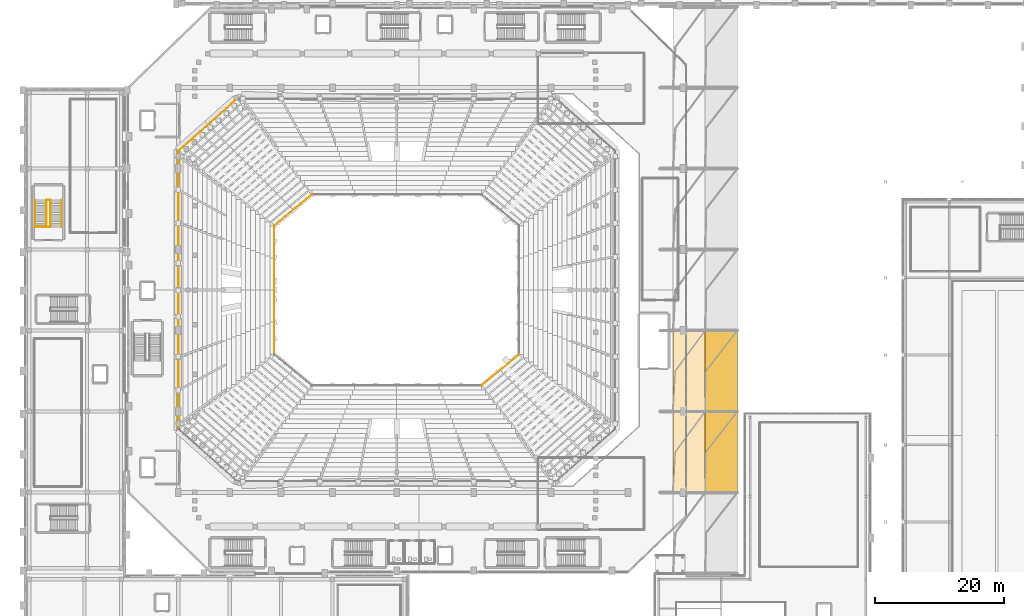
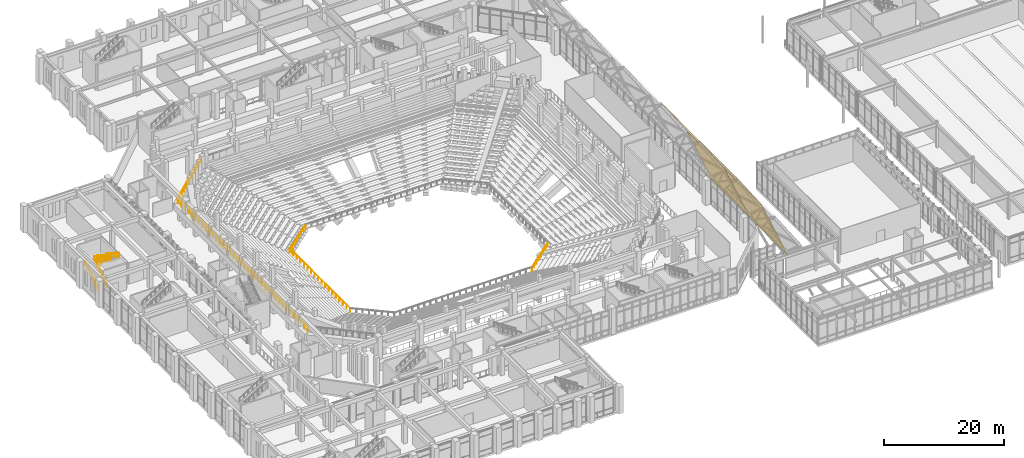
# One storey, part 149 of 159: 9 railings, 4 coverings.
"""IFC4 building model written with IfcOpenShell, lengths in metres."""

from ifc_helpers import new_model, si_unit, derived_unit, direction, frame, origin, origin_2d, place, context, subcontext, project, spatial, polyline, circle, outline, extrude, material, layer, layer_set, type_object, element, save


model = new_model("IFC4")

# Units and contexts
model_context = context("Model", 3, precision=1e-05, world=origin(), true_north=direction((0.0, 1.0)))
body_context = subcontext(model_context, "Body", "Model", "MODEL_VIEW")
ifc_project = project(units=[si_unit("LENGTHUNIT", "METRE"), si_unit("AREAUNIT", "SQUARE_METRE"), si_unit("VOLUMEUNIT", "CUBIC_METRE"), si_unit("PLANEANGLEUNIT", "RADIAN"), si_unit("MASSUNIT", "GRAM", prefix="KILO"), derived_unit("THERMALTRANSMITTANCEUNIT", [(si_unit("MASSUNIT", "GRAM", prefix="KILO"), 1), (si_unit("TIMEUNIT", "SECOND"), -3), (si_unit("THERMODYNAMICTEMPERATUREUNIT", "KELVIN"), -1)])], contexts=[model_context])

# Site, building, storey
site_placement = place(None, origin())
site = spatial("IfcSite", under=ifc_project, at=site_placement, CompositionType="ELEMENT")
building_placement = place(site_placement, origin())
building = spatial("IfcBuilding", under=site, at=building_placement, Name="Valcora Ridge Arena", CompositionType="ELEMENT")
storey_placement = place(building_placement, frame((0.0, 0.0, 6.0)))
storey = spatial("IfcBuildingStorey", under=building, at=storey_placement, Name="L01", CompositionType="ELEMENT", Elevation=6.0)

# Coverings
ifc_material_1 = material(Name="Weathered zinc-bronze standing-seam metal Grade Z275")
ifc_layer = layer(ifc_material_1, 0.0400390625, Name="Weathered zinc-bronze standing-seam metal Grade Z275")
ifc_layer_set = layer_set([ifc_layer], Name="Weathered zinc-bronze standing-seam metal Grade Z275")
covering_type = type_object("IfcCoveringType", Name="TY-COVERING-COV-ZINC-SKIRT", PredefinedType="ROOFING", material=ifc_layer_set)
covering_1_placement = place(storey_placement, frame((101.0, 32.60009765625, 13.49365234375), z_axis=(0.831958588032, 0.0, 0.554837731053), x_axis=(0.554837731053, 0.0, -0.831958588032)))
element("IfcCovering", 1, at=covering_1_placement, inside=storey, type_object=covering_type, Name="COV-ZINC-SKIRT COV-RF-0027", PredefinedType="ROOFING", context=body_context, shape_type="SweptSolid", body=[
    extrude(outline(polyline([(0.0, 0.0), (9.0116438017177, 0.0), (9.0116438017177, 12.599853515625), (0.0, 12.599853515625), (0.0, 0.0)])), origin(), (0.0, 0.0, -1.0), 0.0400390625),
])
covering_2_placement = place(storey_placement, frame((106.0, 32.60009765625, 5.996337890625), z_axis=(0.922302243293, 0.0, 0.386469367501), x_axis=(0.386469367501, 0.0, -0.922302243293)))
element("IfcCovering", 2, at=covering_2_placement, inside=storey, type_object=covering_type, Name="COV-ZINC-SKIRT COV-RF-0028", PredefinedType="ROOFING", context=body_context, shape_type="SweptSolid", body=[
    extrude(outline(polyline([(0.0, 0.0), (12.963536535956578, 0.0), (12.963536535956578, 12.599853515624996), (0.0, 12.599853515624996), (0.0, 0.0)])), origin(), (0.0, 0.0, -1.0), 0.0400390625),
])
covering_3_placement = place(storey_placement, frame((101.0, 45.199951171875, 13.49365234375), z_axis=(0.831958588032, 0.0, 0.554837731053), x_axis=(0.554837731053, 0.0, -0.831958588032)))
element("IfcCovering", 3, at=covering_3_placement, inside=storey, type_object=covering_type, Name="COV-ZINC-SKIRT COV-RF-0041", PredefinedType="ROOFING", context=body_context, shape_type="SweptSolid", body=[
    extrude(outline(polyline([(0.0, 0.0), (9.0116438017177, 0.0), (9.0116438017177, 12.60009765625), (0.0, 12.60009765625), (0.0, 0.0)])), origin(), (0.0, 0.0, -1.0), 0.0400390625),
])
covering_4_placement = place(storey_placement, frame((106.0, 45.199951171875, 5.996337890625), z_axis=(0.922302243293, 0.0, 0.386469367501), x_axis=(0.386469367501, 0.0, -0.922302243293)))
element("IfcCovering", 4, at=covering_4_placement, inside=storey, type_object=covering_type, Name="COV-ZINC-SKIRT COV-RF-0042", PredefinedType="ROOFING", context=body_context, shape_type="SweptSolid", body=[
    extrude(outline(polyline([(0.0, 0.0), (12.963536535956582, 0.0), (12.963536535956582, 12.600097656250004), (0.0, 12.600097656250004), (0.0, 0.0)])), origin(), (0.0, 0.0, -1.0), 0.0400390625),
])

# Railings
ifc_material_2 = material(Name="Galvanized painted steel ASTM A500 Grade B", Category="steel")
railing_type_1 = type_object("IfcRailingType", Name="TY-RAILING-BAL-BOWL-850", PredefinedType="BALUSTRADE", material=ifc_material_2)
railing_1_placement = place(storey_placement, frame((71.25, 49.25, -5.39990234375)))
element("IfcRailing", 5, at=railing_1_placement, inside=storey, type_object=railing_type_1, Name="BAL-BOWL-850 RAL-BW-0002", PredefinedType="BALUSTRADE", context=body_context, shape_type="SweptSolid", body=[
    extrude(circle(Radius=0.02392578125, at=origin_2d()), frame((0.0, 0.0, 0.826171875), z_axis=(0.770393771884, 0.6375683777, 0.0), x_axis=(-0.6375683777, 0.770393771884, 0.0)), (0.0, 0.0, 1.0), 7.528564453125),
    extrude(circle(Radius=0.02099609375, at=origin_2d()), origin(), (0.0, 0.0, 1.0), 0.802001953125),
    extrude(circle(Radius=0.02099609375, at=origin_2d()), frame((0.82861328125, 0.685791015625, 0.0)), (0.0, 0.0, 1.0), 0.802001953125),
    extrude(circle(Radius=0.02099609375, at=origin_2d()), frame((1.6572265625, 1.371337890625, 0.0)), (0.0, 0.0, 1.0), 0.802001953125),
    extrude(circle(Radius=0.02099609375, at=origin_2d()), frame((2.48583984375, 2.05712890625, 0.0)), (0.0, 0.0, 1.0), 0.802001953125),
    extrude(circle(Radius=0.02099609375, at=origin_2d()), frame((3.314208984375, 2.742919921875, 0.0)), (0.0, 0.0, 1.0), 0.802001953125),
    extrude(circle(Radius=0.02099609375, at=origin_2d()), frame((4.142822265625, 3.4287109375, 0.0)), (0.0, 0.0, 1.0), 0.802001953125),
    extrude(circle(Radius=0.02099609375, at=origin_2d()), frame((4.971435546875, 4.1142578125, 0.0)), (0.0, 0.0, 1.0), 0.802001953125),
    extrude(circle(Radius=0.02099609375, at=origin_2d()), frame((5.800048828125, 4.800048828125, 0.0)), (0.0, 0.0, 1.0), 0.802001953125),
])
railing_2_placement = place(storey_placement, frame((44.75, 78.949951171875, -5.39990234375)))
element("IfcRailing", 6, at=railing_2_placement, inside=storey, type_object=railing_type_1, Name="BAL-BOWL-850 RAL-BW-0006", PredefinedType="BALUSTRADE", context=body_context, shape_type="SweptSolid", body=[
    extrude(circle(Radius=0.02392578125, at=origin_2d()), frame((0.0, 0.0, 0.826171875), z_axis=(-0.770393771884, -0.6375683777, 0.0), x_axis=(0.6375683777, -0.770393771884, 0.0)), (0.0, 0.0, 1.0), 7.528564453125),
    extrude(circle(Radius=0.02099609375, at=origin_2d()), origin(), (0.0, 0.0, 1.0), 0.802001953125),
    extrude(circle(Radius=0.02099609375, at=origin_2d()), frame((-0.82861328125, -0.685791015625, 0.0)), (0.0, 0.0, 1.0), 0.802001953125),
    extrude(circle(Radius=0.02099609375, at=origin_2d()), frame((-1.6572265625, -1.371337890625, 0.0)), (0.0, 0.0, 1.0), 0.802001953125),
    extrude(circle(Radius=0.02099609375, at=origin_2d()), frame((-2.48583984375, -2.05712890625, 0.0)), (0.0, 0.0, 1.0), 0.802001953125),
    extrude(circle(Radius=0.02099609375, at=origin_2d()), frame((-3.314208984375, -2.742919921875, 0.0)), (0.0, 0.0, 1.0), 0.802001953125),
    extrude(circle(Radius=0.02099609375, at=origin_2d()), frame((-4.142822265625, -3.4287109375, 0.0)), (0.0, 0.0, 1.0), 0.802001953125),
    extrude(circle(Radius=0.02099609375, at=origin_2d()), frame((-4.971435546875, -4.1142578125, 0.0)), (0.0, 0.0, 1.0), 0.802001953125),
    extrude(circle(Radius=0.02099609375, at=origin_2d()), frame((-5.800048828125, -4.800048828125, 0.0)), (0.0, 0.0, 1.0), 0.802001953125),
])
railing_3_placement = place(storey_placement, frame((38.949951171875, 74.14990234375, -5.39990234375)))
element("IfcRailing", 7, at=railing_3_placement, inside=storey, type_object=railing_type_1, Name="BAL-BOWL-850 RAL-BW-0007", PredefinedType="BALUSTRADE", context=body_context, shape_type="SweptSolid", body=[
    extrude(circle(Radius=0.02392578125, at=origin_2d()), frame((0.0, 0.0, 0.826171875), z_axis=(0.0, -1.0, 0.0), x_axis=(1.0, 0.0, 0.0)), (0.0, 0.0, 1.0), 20.099853515625),
    extrude(circle(Radius=0.02099609375, at=origin_2d()), origin(), (0.0, 0.0, 1.0), 0.802001953125),
    extrude(circle(Radius=0.02099609375, at=origin_2d()), frame((0.0, -1.182373046875, 0.0)), (0.0, 0.0, 1.0), 0.802001953125),
    extrude(circle(Radius=0.02099609375, at=origin_2d()), frame((0.0, -2.36474609375, 0.0)), (0.0, 0.0, 1.0), 0.802001953125),
    extrude(circle(Radius=0.02099609375, at=origin_2d()), frame((0.0, -3.547119140625, 0.0)), (0.0, 0.0, 1.0), 0.802001953125),
    extrude(circle(Radius=0.02099609375, at=origin_2d()), frame((0.0, -4.7294921875, 0.0)), (0.0, 0.0, 1.0), 0.802001953125),
    extrude(circle(Radius=0.02099609375, at=origin_2d()), frame((0.0, -5.91162109375, 0.0)), (0.0, 0.0, 1.0), 0.802001953125),
    extrude(circle(Radius=0.02099609375, at=origin_2d()), frame((0.0, -7.093994140625, 0.0)), (0.0, 0.0, 1.0), 0.802001953125),
    extrude(circle(Radius=0.02099609375, at=origin_2d()), frame((0.0, -8.2763671875, 0.0)), (0.0, 0.0, 1.0), 0.802001953125),
    extrude(circle(Radius=0.02099609375, at=origin_2d()), frame((0.0, -9.458740234375, 0.0)), (0.0, 0.0, 1.0), 0.802001953125),
    extrude(circle(Radius=0.02099609375, at=origin_2d()), frame((0.0, -10.64111328125, 0.0)), (0.0, 0.0, 1.0), 0.802001953125),
    extrude(circle(Radius=0.02099609375, at=origin_2d()), frame((0.0, -11.823486328125, 0.0)), (0.0, 0.0, 1.0), 0.802001953125),
    extrude(circle(Radius=0.02099609375, at=origin_2d()), frame((0.0, -13.005859375, 0.0)), (0.0, 0.0, 1.0), 0.802001953125),
    extrude(circle(Radius=0.02099609375, at=origin_2d()), frame((0.0, -14.188232421875, 0.0)), (0.0, 0.0, 1.0), 0.802001953125),
    extrude(circle(Radius=0.02099609375, at=origin_2d()), frame((0.0, -15.370361328125, 0.0)), (0.0, 0.0, 1.0), 0.802001953125),
    extrude(circle(Radius=0.02099609375, at=origin_2d()), frame((0.0, -16.552734375, 0.0)), (0.0, 0.0, 1.0), 0.802001953125),
    extrude(circle(Radius=0.02099609375, at=origin_2d()), frame((0.0, -17.735107421875, 0.0)), (0.0, 0.0, 1.0), 0.802001953125),
    extrude(circle(Radius=0.02099609375, at=origin_2d()), frame((0.0, -18.91748046875, 0.0)), (0.0, 0.0, 1.0), 0.802001953125),
    extrude(circle(Radius=0.02099609375, at=origin_2d()), frame((0.0, -20.099853515625, 0.0)), (0.0, 0.0, 1.0), 0.802001953125),
])
railing_type_2 = type_object("IfcRailingType", Name="TY-RAILING-GRD-STAIR-1120", PredefinedType="GUARDRAIL", material=ifc_material_2)
railing_4_placement = place(storey_placement, frame((3.5, 73.909912109375, 0.0)))
element("IfcRailing", 8, at=railing_4_placement, inside=storey, type_object=railing_type_2, Name="GRD-STAIR-1120 RAL-SG-0071", PredefinedType="GUARDRAIL", context=body_context, shape_type="SweptSolid", body=[
    extrude(circle(Radius=0.02392578125, at=origin_2d()), frame((0.0, 0.0, 1.09619140625), z_axis=(0.0, 0.841194361566, 0.540732878665), x_axis=(-1.0, 0.0, 0.0)), (0.0, 0.0, 1.0), 4.9931640625),
    extrude(circle(Radius=0.02392578125, at=origin_2d()), frame((0.0, 4.2001953125, 3.7958984375), z_axis=(1.0, 0.0, 0.0), x_axis=(0.0, 1.0, 0.0)), (0.0, 0.0, 1.0), 0.60009765625),
    extrude(circle(Radius=0.02392578125, at=origin_2d()), frame((0.60009765625, 4.2001953125, 3.7958984375), z_axis=(0.0, -0.841194361566, 0.540732878665), x_axis=(1.0, 0.0, 0.0)), (0.0, 0.0, 1.0), 4.9931640625),
    extrude(circle(Radius=0.02099609375, at=origin_2d()), origin(), (0.0, 0.0, 1.0), 1.072021484375),
    extrude(circle(Radius=0.02099609375, at=origin_2d()), frame((0.0, 0.840087890625, 0.5400390625)), (0.0, 0.0, 1.0), 1.072021484375),
    extrude(circle(Radius=0.02099609375, at=origin_2d()), frame((0.0, 1.68017578125, 1.080078125)), (0.0, 0.0, 1.0), 1.072021484375),
    extrude(circle(Radius=0.02099609375, at=origin_2d()), frame((0.0, 2.52001953125, 1.619873046875)), (0.0, 0.0, 1.0), 1.072021484375),
    extrude(circle(Radius=0.02099609375, at=origin_2d()), frame((0.0, 3.360107421875, 2.159912109375)), (0.0, 0.0, 1.0), 1.072021484375),
    extrude(circle(Radius=0.02099609375, at=origin_2d()), frame((0.0, 4.2001953125, 2.699951171875)), (0.0, 0.0, 1.0), 1.072021484375),
    extrude(circle(Radius=0.02099609375, at=origin_2d()), frame((0.60009765625, 4.2001953125, 2.699951171875)), (0.0, 0.0, 1.0), 1.072021484375),
    extrude(circle(Radius=0.02099609375, at=origin_2d()), frame((0.60009765625, 3.360107421875, 3.239990234375)), (0.0, 0.0, 1.0), 1.072021484375),
    extrude(circle(Radius=0.02099609375, at=origin_2d()), frame((0.60009765625, 2.52001953125, 3.780029296875)), (0.0, 0.0, 1.0), 1.072021484375),
    extrude(circle(Radius=0.02099609375, at=origin_2d()), frame((0.60009765625, 1.68017578125, 4.31982421875)), (0.0, 0.0, 1.0), 1.072021484375),
    extrude(circle(Radius=0.02099609375, at=origin_2d()), frame((0.60009765625, 0.840087890625, 4.85986328125)), (0.0, 0.0, 1.0), 1.072021484375),
    extrude(circle(Radius=0.02099609375, at=origin_2d()), frame((0.60009765625, 0.0, 5.39990234375)), (0.0, 0.0, 1.0), 1.072021484375),
])
railing_5_placement = place(storey_placement, frame((1.64990234375, 73.909912109375, 5.39990234375)))
element("IfcRailing", 9, at=railing_5_placement, inside=storey, type_object=railing_type_2, Name="GRD-STAIR-1120 RAL-SG-0072", PredefinedType="GUARDRAIL", context=body_context, shape_type="SweptSolid", body=[
    extrude(circle(Radius=0.02392578125, at=origin_2d()), frame((0.0, 0.0, 1.09619140625), z_axis=(1.0, 0.0, 0.0), x_axis=(0.0, 1.0, 0.0)), (0.0, 0.0, 1.0), 2.4501953125),
    extrude(circle(Radius=0.02099609375, at=origin_2d()), origin(), (0.0, 0.0, 1.0), 1.072021484375),
    extrude(circle(Radius=0.02099609375, at=origin_2d()), frame((0.816650390625, 0.0, 0.0)), (0.0, 0.0, 1.0), 1.072021484375),
    extrude(circle(Radius=0.02099609375, at=origin_2d()), frame((1.633544921875, 0.0, 0.0)), (0.0, 0.0, 1.0), 1.072021484375),
    extrude(circle(Radius=0.02099609375, at=origin_2d()), frame((2.4501953125, 0.0, 0.0)), (0.0, 0.0, 1.0), 1.072021484375),
])
railing_type_3 = type_object("IfcRailingType", Name="TY-RAILING-GRD-VOID-1120", PredefinedType="GUARDRAIL", material=ifc_material_2)
railing_6_placement = place(storey_placement, frame((33.14990234375, 93.85009765625, 2.9599609375)))
element("IfcRailing", 10, at=railing_6_placement, inside=storey, type_object=railing_type_3, Name="GRD-VOID-1120 RAL-BW-0014", PredefinedType="GUARDRAIL", context=body_context, shape_type="SweptSolid", body=[
    extrude(circle(Radius=0.02392578125, at=origin_2d()), frame((0.0, 0.0, 1.09619140625), z_axis=(-0.746946976418, -0.66488360968, 0.0), x_axis=(0.66488360968, -0.746946976418, 0.0)), (0.0, 0.0, 1.0), 12.1826171875),
    extrude(circle(Radius=0.02099609375, at=origin_2d()), origin(), (0.0, 0.0, 1.0), 1.072021484375),
    extrude(circle(Radius=0.02099609375, at=origin_2d()), frame((-0.8271484375, -0.736328125, 0.0)), (0.0, 0.0, 1.0), 1.072021484375),
    extrude(circle(Radius=0.02099609375, at=origin_2d()), frame((-1.654541015625, -1.47265625, 0.0)), (0.0, 0.0, 1.0), 1.072021484375),
    extrude(circle(Radius=0.02099609375, at=origin_2d()), frame((-2.481689453125, -2.209228515625, 0.0)), (0.0, 0.0, 1.0), 1.072021484375),
    extrude(circle(Radius=0.02099609375, at=origin_2d()), frame((-3.30908203125, -2.945556640625, 0.0)), (0.0, 0.0, 1.0), 1.072021484375),
    extrude(circle(Radius=0.02099609375, at=origin_2d()), frame((-4.13623046875, -3.681884765625, 0.0)), (0.0, 0.0, 1.0), 1.072021484375),
    extrude(circle(Radius=0.02099609375, at=origin_2d()), frame((-4.963623046875, -4.418212890625, 0.0)), (0.0, 0.0, 1.0), 1.072021484375),
    extrude(circle(Radius=0.02099609375, at=origin_2d()), frame((-5.790771484375, -5.154541015625, 0.0)), (0.0, 0.0, 1.0), 1.072021484375),
    extrude(circle(Radius=0.02099609375, at=origin_2d()), frame((-6.6181640625, -5.890869140625, 0.0)), (0.0, 0.0, 1.0), 1.072021484375),
    extrude(circle(Radius=0.02099609375, at=origin_2d()), frame((-7.4453125, -6.62744140625, 0.0)), (0.0, 0.0, 1.0), 1.072021484375),
    extrude(circle(Radius=0.02099609375, at=origin_2d()), frame((-8.272705078125, -7.36376953125, 0.0)), (0.0, 0.0, 1.0), 1.072021484375),
    extrude(circle(Radius=0.02099609375, at=origin_2d()), frame((-9.099853515625, -8.10009765625, 0.0)), (0.0, 0.0, 1.0), 1.072021484375),
])
railing_7_placement = place(storey_placement, frame((24.050048828125, 85.75, 2.9599609375)))
element("IfcRailing", 11, at=railing_7_placement, inside=storey, type_object=railing_type_3, Name="GRD-VOID-1120 RAL-BW-0015", PredefinedType="GUARDRAIL", context=body_context, shape_type="SweptSolid", body=[
    extrude(circle(Radius=0.02392578125, at=origin_2d()), frame((0.0, 0.0, 1.09619140625), z_axis=(0.0, -1.0, 0.0), x_axis=(1.0, 0.0, 0.0)), (0.0, 0.0, 1.0), 43.300048828125),
    extrude(circle(Radius=0.02099609375, at=origin_2d()), origin(), (0.0, 0.0, 1.0), 1.072021484375),
    extrude(circle(Radius=0.02099609375, at=origin_2d()), frame((0.0, -1.170166015625, 0.0)), (0.0, 0.0, 1.0), 1.072021484375),
    extrude(circle(Radius=0.02099609375, at=origin_2d()), frame((0.0, -2.340576171875, 0.0)), (0.0, 0.0, 1.0), 1.072021484375),
    extrude(circle(Radius=0.02099609375, at=origin_2d()), frame((0.0, -3.5107421875, 0.0)), (0.0, 0.0, 1.0), 1.072021484375),
    extrude(circle(Radius=0.02099609375, at=origin_2d()), frame((0.0, -4.68115234375, 0.0)), (0.0, 0.0, 1.0), 1.072021484375),
    extrude(circle(Radius=0.02099609375, at=origin_2d()), frame((0.0, -5.851318359375, 0.0)), (0.0, 0.0, 1.0), 1.072021484375),
    extrude(circle(Radius=0.02099609375, at=origin_2d()), frame((0.0, -7.021728515625, 0.0)), (0.0, 0.0, 1.0), 1.072021484375),
    extrude(circle(Radius=0.02099609375, at=origin_2d()), frame((0.0, -8.19189453125, 0.0)), (0.0, 0.0, 1.0), 1.072021484375),
    extrude(circle(Radius=0.02099609375, at=origin_2d()), frame((0.0, -9.362060546875, 0.0)), (0.0, 0.0, 1.0), 1.072021484375),
    extrude(circle(Radius=0.02099609375, at=origin_2d()), frame((0.0, -10.532470703125, 0.0)), (0.0, 0.0, 1.0), 1.072021484375),
    extrude(circle(Radius=0.02099609375, at=origin_2d()), frame((0.0, -11.70263671875, 0.0)), (0.0, 0.0, 1.0), 1.072021484375),
    extrude(circle(Radius=0.02099609375, at=origin_2d()), frame((0.0, -12.873046875, 0.0)), (0.0, 0.0, 1.0), 1.072021484375),
    extrude(circle(Radius=0.02099609375, at=origin_2d()), frame((0.0, -14.043212890625, 0.0)), (0.0, 0.0, 1.0), 1.072021484375),
    extrude(circle(Radius=0.02099609375, at=origin_2d()), frame((0.0, -15.213623046875, 0.0)), (0.0, 0.0, 1.0), 1.072021484375),
    extrude(circle(Radius=0.02099609375, at=origin_2d()), frame((0.0, -16.3837890625, 0.0)), (0.0, 0.0, 1.0), 1.072021484375),
    extrude(circle(Radius=0.02099609375, at=origin_2d()), frame((0.0, -17.553955078125, 0.0)), (0.0, 0.0, 1.0), 1.072021484375),
    extrude(circle(Radius=0.02099609375, at=origin_2d()), frame((0.0, -18.724365234375, 0.0)), (0.0, 0.0, 1.0), 1.072021484375),
    extrude(circle(Radius=0.02099609375, at=origin_2d()), frame((0.0, -19.89453125, 0.0)), (0.0, 0.0, 1.0), 1.072021484375),
    extrude(circle(Radius=0.02099609375, at=origin_2d()), frame((0.0, -21.06494140625, 0.0)), (0.0, 0.0, 1.0), 1.072021484375),
    extrude(circle(Radius=0.02099609375, at=origin_2d()), frame((0.0, -22.235107421875, 0.0)), (0.0, 0.0, 1.0), 1.072021484375),
    extrude(circle(Radius=0.02099609375, at=origin_2d()), frame((0.0, -23.405517578125, 0.0)), (0.0, 0.0, 1.0), 1.072021484375),
    extrude(circle(Radius=0.02099609375, at=origin_2d()), frame((0.0, -24.57568359375, 0.0)), (0.0, 0.0, 1.0), 1.072021484375),
    extrude(circle(Radius=0.02099609375, at=origin_2d()), frame((0.0, -25.74609375, 0.0)), (0.0, 0.0, 1.0), 1.072021484375),
    extrude(circle(Radius=0.02099609375, at=origin_2d()), frame((0.0, -26.916259765625, 0.0)), (0.0, 0.0, 1.0), 1.072021484375),
    extrude(circle(Radius=0.02099609375, at=origin_2d()), frame((0.0, -28.08642578125, 0.0)), (0.0, 0.0, 1.0), 1.072021484375),
    extrude(circle(Radius=0.02099609375, at=origin_2d()), frame((0.0, -29.2568359375, 0.0)), (0.0, 0.0, 1.0), 1.072021484375),
    extrude(circle(Radius=0.02099609375, at=origin_2d()), frame((0.0, -30.427001953125, 0.0)), (0.0, 0.0, 1.0), 1.072021484375),
    extrude(circle(Radius=0.02099609375, at=origin_2d()), frame((0.0, -31.597412109375, 0.0)), (0.0, 0.0, 1.0), 1.072021484375),
    extrude(circle(Radius=0.02099609375, at=origin_2d()), frame((0.0, -32.767578125, 0.0)), (0.0, 0.0, 1.0), 1.072021484375),
    extrude(circle(Radius=0.02099609375, at=origin_2d()), frame((0.0, -33.93798828125, 0.0)), (0.0, 0.0, 1.0), 1.072021484375),
    extrude(circle(Radius=0.02099609375, at=origin_2d()), frame((0.0, -35.108154296875, 0.0)), (0.0, 0.0, 1.0), 1.072021484375),
    extrude(circle(Radius=0.02099609375, at=origin_2d()), frame((0.0, -36.2783203125, 0.0)), (0.0, 0.0, 1.0), 1.072021484375),
    extrude(circle(Radius=0.02099609375, at=origin_2d()), frame((0.0, -37.44873046875, 0.0)), (0.0, 0.0, 1.0), 1.072021484375),
    extrude(circle(Radius=0.02099609375, at=origin_2d()), frame((0.0, -38.618896484375, 0.0)), (0.0, 0.0, 1.0), 1.072021484375),
    extrude(circle(Radius=0.02099609375, at=origin_2d()), frame((0.0, -39.789306640625, 0.0)), (0.0, 0.0, 1.0), 1.072021484375),
    extrude(circle(Radius=0.02099609375, at=origin_2d()), frame((0.0, -40.95947265625, 0.0)), (0.0, 0.0, 1.0), 1.072021484375),
    extrude(circle(Radius=0.02099609375, at=origin_2d()), frame((0.0, -42.1298828125, 0.0)), (0.0, 0.0, 1.0), 1.072021484375),
    extrude(circle(Radius=0.02099609375, at=origin_2d()), frame((0.0, -43.300048828125, 0.0)), (0.0, 0.0, 1.0), 1.072021484375),
])
railing_type_4 = type_object("IfcRailingType", Name="TY-RAILING-HR-STAIR-900", PredefinedType="HANDRAIL", material=ifc_material_2)
railing_8_placement = place(storey_placement, frame((1.739990234375, 73.909912109375, 0.0)))
element("IfcRailing", 12, at=railing_8_placement, inside=storey, type_object=railing_type_4, Name="HR-STAIR-900 RAL-SH-0071", PredefinedType="HANDRAIL", context=body_context, shape_type="SweptSolid", body=[
    extrude(circle(Radius=0.02392578125, at=origin_2d()), frame((0.0, 0.0, 0.8759765625), z_axis=(0.0, 0.841194361566, 0.540732878665), x_axis=(-1.0, 0.0, 0.0)), (0.0, 0.0, 1.0), 4.9931640625),
    extrude(circle(Radius=0.02099609375, at=origin_2d()), origin(), (0.0, 0.0, 1.0), 0.851806640625),
    extrude(circle(Radius=0.02099609375, at=origin_2d()), frame((0.0, 0.840087890625, 0.5400390625)), (0.0, 0.0, 1.0), 0.851806640625),
    extrude(circle(Radius=0.02099609375, at=origin_2d()), frame((0.0, 1.68017578125, 1.080078125)), (0.0, 0.0, 1.0), 0.851806640625),
    extrude(circle(Radius=0.02099609375, at=origin_2d()), frame((0.0, 2.52001953125, 1.619873046875)), (0.0, 0.0, 1.0), 0.851806640625),
    extrude(circle(Radius=0.02099609375, at=origin_2d()), frame((0.0, 3.360107421875, 2.159912109375)), (0.0, 0.0, 1.0), 0.851806640625),
    extrude(circle(Radius=0.02099609375, at=origin_2d()), frame((0.0, 4.2001953125, 2.699951171875)), (0.0, 0.0, 1.0), 0.851806640625),
])
railing_9_placement = place(storey_placement, frame((5.860107421875, 78.110107421875, 2.699951171875)))
element("IfcRailing", 13, at=railing_9_placement, inside=storey, type_object=railing_type_4, Name="HR-STAIR-900 RAL-SH-0072", PredefinedType="HANDRAIL", context=body_context, shape_type="SweptSolid", body=[
    extrude(circle(Radius=0.02392578125, at=origin_2d()), frame((0.0, 0.0, 0.8759765625), z_axis=(0.0, -0.841194361566, 0.540732878665), x_axis=(1.0, 0.0, 0.0)), (0.0, 0.0, 1.0), 4.9931640625),
    extrude(circle(Radius=0.02099609375, at=origin_2d()), origin(), (0.0, 0.0, 1.0), 0.851806640625),
    extrude(circle(Radius=0.02099609375, at=origin_2d()), frame((0.0, -0.840087890625, 0.5400390625)), (0.0, 0.0, 1.0), 0.851806640625),
    extrude(circle(Radius=0.02099609375, at=origin_2d()), frame((0.0, -1.68017578125, 1.080078125)), (0.0, 0.0, 1.0), 0.851806640625),
    extrude(circle(Radius=0.02099609375, at=origin_2d()), frame((0.0, -2.52001953125, 1.619873046875)), (0.0, 0.0, 1.0), 0.851806640625),
    extrude(circle(Radius=0.02099609375, at=origin_2d()), frame((0.0, -3.360107421875, 2.159912109375)), (0.0, 0.0, 1.0), 0.851806640625),
    extrude(circle(Radius=0.02099609375, at=origin_2d()), frame((0.0, -4.2001953125, 2.699951171875)), (0.0, 0.0, 1.0), 0.851806640625),
])

save(model, "model.ifc")
